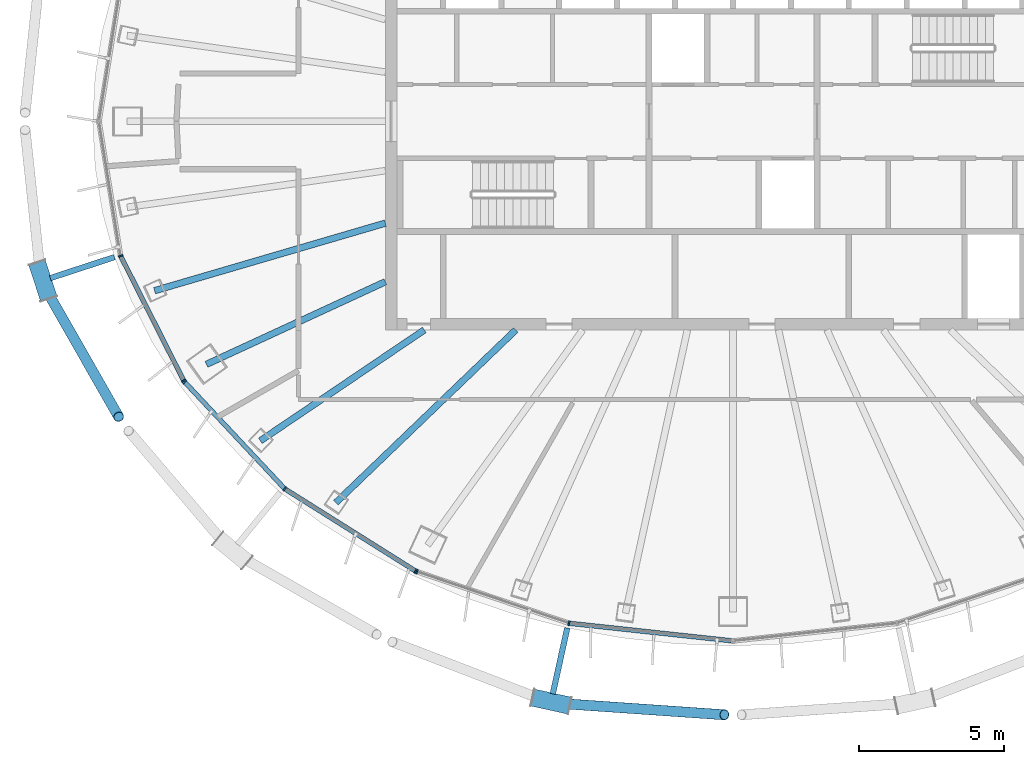
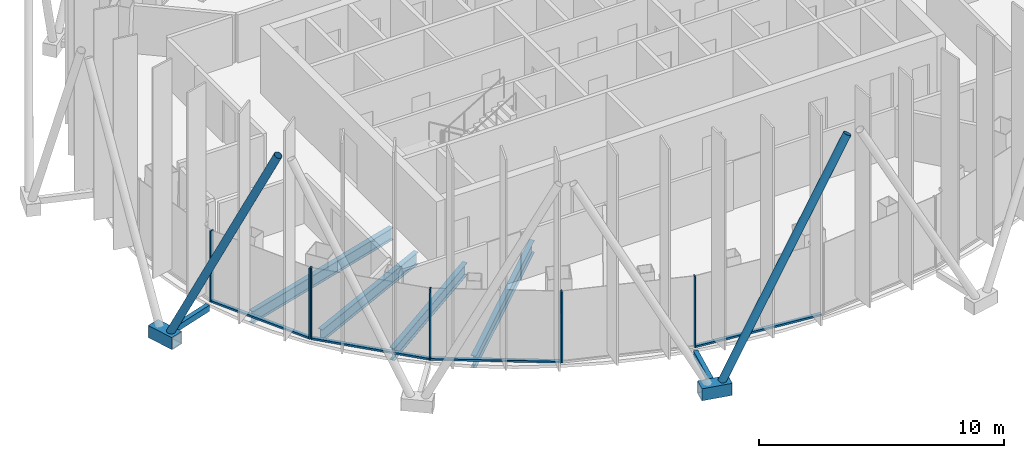
# One storey, part 2 of 19: 17 members, 4 beams, 3 elements without a shape of their own.
"""IFC4 building model written with IfcOpenShell, lengths in metres."""

from ifc_helpers import new_model, si_unit, direction, frame, origin, origin_2d, place, context, subcontext, project, spatial, rectangle, hollow_rectangle, hollow_circle, i_section, extrude, material, layer, layer_set, material_profile, profile_set, type_object, element, aggregate, save


model = new_model("IFC4")

# Units and contexts
model_context = context("Model", 3, precision=1e-05, world=origin(), true_north=direction((0.0, 1.0)))
body_context = subcontext(model_context, "Body", "Model", "MODEL_VIEW")
ifc_project = project(units=[si_unit("LENGTHUNIT", "METRE"), si_unit("AREAUNIT", "SQUARE_METRE"), si_unit("VOLUMEUNIT", "CUBIC_METRE"), si_unit("PLANEANGLEUNIT", "RADIAN"), si_unit("MASSUNIT", "GRAM", prefix="KILO")], contexts=[model_context])

# Site, building, storey
site_placement = place(None, origin())
site = spatial("IfcSite", under=ifc_project, at=site_placement, CompositionType="ELEMENT")
building_placement = place(site_placement, origin())
building = spatial("IfcBuilding", under=site, at=building_placement, Name="Siaravel Broadcast Tower", CompositionType="ELEMENT")
storey_placement = place(building_placement, frame((0.0, 0.0, 217.10009765625)))
storey = spatial("IfcBuildingStorey", under=building, at=storey_placement, Name="L52", CompositionType="ELEMENT", Elevation=217.10009765625)

# Beams
ifc_material_1 = material(Name="Steel S355", Category="steel")
ifc_material_profile_1 = material_profile(ifc_material_1, i_section(OverallWidth=0.2275390625, OverallDepth=0.6025390625, WebThickness=0.010498046875, FlangeThickness=0.014892578125, FilletRadius=0.0126953125, at=origin_2d()))
ifc_profile_set_1 = profile_set([ifc_material_profile_1], Name="Steel S355")
beam_type = type_object("IfcBeamType", Name="BM-UB 610x229x101", PredefinedType="BEAM", material=ifc_profile_set_1)
beam_1_placement = place(storey_placement, frame((-19.96875, -5.846435546875, -0.451416015625), z_axis=(0.959707048, 0.281002459, 0.0), x_axis=(-0.281002459, 0.959707048, 0.0)))
element("IfcBeam", 1, at=beam_1_placement, inside=storey, type_object=beam_type, Name="Radial beam RB21", PredefinedType="BEAM", context=body_context, shape_type="SweptSolid", body=[
    extrude(i_section(OverallWidth=0.2275390625, OverallDepth=0.6025390625, WebThickness=0.010498046875, FlangeThickness=0.014892578125, FilletRadius=0.0126953125, at=origin_2d()), origin(), (0.0, 0.0, 1.0), 8.30322265625),
])
beam_2_placement = place(storey_placement, frame((-18.177978515625, -8.38818359375, -0.451416015625), z_axis=(0.907989838, 0.418992189, 0.0), x_axis=(-0.418992189, 0.907989838, 0.0)))
element("IfcBeam", 2, at=beam_2_placement, inside=storey, type_object=beam_type, Name="Radial beam RB22", PredefinedType="BEAM", context=body_context, shape_type="SweptSolid", body=[
    extrude(i_section(OverallWidth=0.2275390625, OverallDepth=0.6025390625, WebThickness=0.010498046875, FlangeThickness=0.014892578125, FilletRadius=0.0126953125, at=origin_2d()), origin(), (0.0, 0.0, 1.0), 6.803955078125),
])
beam_3_placement = place(storey_placement, frame((-16.31591796875, -11.02587890625, -0.451416015625), z_axis=(0.828554475, 0.559908459, 0.0), x_axis=(-0.559908459, 0.828554475, 0.0)))
element("IfcBeam", 3, at=beam_3_placement, inside=storey, type_object=beam_type, Name="Radial beam RB23", PredefinedType="BEAM", context=body_context, shape_type="SweptSolid", body=[
    extrude(i_section(OverallWidth=0.2275390625, OverallDepth=0.6025390625, WebThickness=0.010498046875, FlangeThickness=0.014892578125, FilletRadius=0.0126953125, at=origin_2d()), origin(), (0.0, 0.0, 1.0), 6.833251953125),
])
beam_4_placement = place(storey_placement, frame((-13.706298828125, -13.162841796875, -0.451416015625), z_axis=(0.721255826, 0.692668776, 0.0), x_axis=(-0.692668776, 0.721255826, 0.0)))
element("IfcBeam", 4, at=beam_4_placement, inside=storey, type_object=beam_type, Name="Radial beam RB24", PredefinedType="BEAM", context=body_context, shape_type="SweptSolid", body=[
    extrude(i_section(OverallWidth=0.2275390625, OverallDepth=0.6025390625, WebThickness=0.010498046875, FlangeThickness=0.014892578125, FilletRadius=0.0126953125, at=origin_2d()), origin(), (0.0, 0.0, 1.0), 8.608642578125),
])

# Curtain wall, members
ifc_material_2 = material(Name="Aluminium 6063-T6", Category="aluminium")
ifc_layer = layer(ifc_material_2, 0.159912109375)
ifc_layer_set = layer_set([ifc_layer], Name="Aluminium 6063-T6")
curtain_wall_type = type_object("IfcCurtainWallType", Name="Unitised curtain wall, zone 4", PredefinedType="NOTDEFINED", material=ifc_layer_set)
curtain_wall_1_placement = place(storey_placement, origin())
curtain_wall_1 = element("IfcCurtainWall", 5, at=curtain_wall_1_placement, inside=storey, type_object=curtain_wall_type, Name="L52 Unitised curtain wall, zone 4 07", PredefinedType="NOTDEFINED")
ifc_material_profile_2 = material_profile(ifc_material_2, rectangle(XDim=0.159912109375, YDim=0.054931640625, at=origin_2d()))
ifc_profile_set_2 = profile_set([ifc_material_profile_2], Name="Aluminium 6063-T6")
member_type_1 = type_object("IfcMemberType", Name="CW-Z4 mullion", PredefinedType="MULLION", material=ifc_profile_set_2)
member_1_placement = place(storey_placement, frame((-21.1396484375, -4.64501953125, 0.0), z_axis=(0.0, 0.0, 1.0), x_axis=(0.951177504, 0.308644385, 0.0)))
member_1 = element("IfcMember", 6, at=member_1_placement, type_object=member_type_1, Name="CW-Z4 mullion 2", PredefinedType="MULLION", context=body_context, shape_type="SweptSolid", body=[
    extrude(rectangle(XDim=0.159912109375, YDim=0.054931640625, at=origin_2d()), origin(), (0.0, 0.0, 1.0), 3.5498046875),
])
member_2_placement = place(storey_placement, frame((-18.964111328125, -8.947509765625, 0.0), z_axis=(0.0, 0.0, 1.0), x_axis=(0.892392673, 0.451259701, 0.0)))
member_2 = element("IfcMember", 7, at=member_2_placement, type_object=member_type_1, Name="CW-Z4 mullion 3", PredefinedType="MULLION", context=body_context, shape_type="SweptSolid", body=[
    extrude(rectangle(XDim=0.159912109375, YDim=0.054931640625, at=origin_2d()), origin(), (0.0, 0.0, 1.0), 3.5498046875),
])

curtain_wall_2_placement = place(storey_placement, origin())
curtain_wall_2 = element("IfcCurtainWall", 8, at=curtain_wall_2_placement, inside=storey, type_object=curtain_wall_type, Name="L52 Unitised curtain wall, zone 4 08", PredefinedType="NOTDEFINED")
member_3_placement = place(storey_placement, frame((-18.932861328125, -8.991943359375, 0.0), z_axis=(0.0, 0.0, 1.0), x_axis=(0.729806178, 0.68365411, 0.0)))
member_3 = element("IfcMember", 9, at=member_3_placement, type_object=member_type_1, Name="CW-Z4 mullion 1", PredefinedType="MULLION", context=body_context, shape_type="SweptSolid", body=[
    extrude(rectangle(XDim=0.159912109375, YDim=0.054931640625, at=origin_2d()), origin(), (0.0, 0.0, 1.0), 3.5498046875),
])
member_4_placement = place(storey_placement, frame((-15.47216796875, -12.686279296875, 0.0), z_axis=(0.0, 0.0, 1.0), x_axis=(0.636219575, 0.771508038, 0.0)))
member_4 = element("IfcMember", 10, at=member_4_placement, type_object=member_type_1, Name="CW-Z4 mullion 2", PredefinedType="MULLION", context=body_context, shape_type="SweptSolid", body=[
    extrude(rectangle(XDim=0.159912109375, YDim=0.054931640625, at=origin_2d()), origin(), (0.0, 0.0, 1.0), 3.5498046875),
])
member_5_placement = place(storey_placement, frame((-10.962890625, -15.5205078125, 0.0), z_axis=(0.0, 0.0, 1.0), x_axis=(0.53215013, 0.84665001, 0.0)))
member_5 = element("IfcMember", 11, at=member_5_placement, type_object=member_type_1, Name="CW-Z4 mullion 3", PredefinedType="MULLION", context=body_context, shape_type="SweptSolid", body=[
    extrude(rectangle(XDim=0.159912109375, YDim=0.054931640625, at=origin_2d()), origin(), (0.0, 0.0, 1.0), 3.5498046875),
])

curtain_wall_3_placement = place(storey_placement, origin())
curtain_wall_3 = element("IfcCurtainWall", 12, at=curtain_wall_3_placement, inside=storey, type_object=curtain_wall_type, Name="L52 Unitised curtain wall, zone 4 09", PredefinedType="NOTDEFINED")
member_6_placement = place(storey_placement, frame((-10.913330078125, -15.5439453125, 0.0), z_axis=(0.0, 0.0, 1.0), x_axis=(0.321301242, 0.946977039, 0.0)))
member_6 = element("IfcMember", 13, at=member_6_placement, type_object=member_type_1, Name="CW-Z4 mullion 1", PredefinedType="MULLION", context=body_context, shape_type="SweptSolid", body=[
    extrude(rectangle(XDim=0.159912109375, YDim=0.054931640625, at=origin_2d()), origin(), (0.0, 0.0, 1.0), 3.5498046875),
])
member_7_placement = place(storey_placement, frame((-5.662353515625, -17.32568359375, 0.0), z_axis=(0.0, 0.0, 1.0), x_axis=(0.215558493, 0.97649093, 0.0)))
member_7 = element("IfcMember", 14, at=member_7_placement, type_object=member_type_1, Name="CW-Z4 mullion 2", PredefinedType="MULLION", context=body_context, shape_type="SweptSolid", body=[
    extrude(rectangle(XDim=0.159912109375, YDim=0.054931640625, at=origin_2d()), origin(), (0.0, 0.0, 1.0), 3.5498046875),
])

# Member
ifc_material_profile_3 = material_profile(ifc_material_2, rectangle(XDim=0.159912109375, YDim=0.090087890625, at=origin_2d()))
ifc_profile_set_3 = profile_set([ifc_material_profile_3], Name="Aluminium 6063-T6")
member_type_2 = type_object("IfcMemberType", Name="CW-Z4 transom", PredefinedType="USERDEFINED", material=ifc_profile_set_3)
member_8_placement = place(storey_placement, frame((-21.127197265625, -4.66943359375, 0.044921875), z_axis=(0.451265777, -0.8923896, 0.0), x_axis=(0.8923896, 0.451265777, 0.0)))
member_8 = element("IfcMember", 15, at=member_8_placement, type_object=member_type_2, Name="CW-Z4 transom 2", ObjectType="TRANSOM", PredefinedType="USERDEFINED", context=body_context, shape_type="SweptSolid", body=[
    extrude(rectangle(XDim=0.159912109375, YDim=0.090087890625, at=origin_2d()), origin(), (0.0, 0.0, 1.0), 4.766357421875),
])

aggregate(curtain_wall_1, [member_1, member_2, member_8])

member_9_placement = place(storey_placement, frame((-18.9140625, -9.01220703125, 0.044921875), z_axis=(0.683691298, -0.72977134, 0.0), x_axis=(0.72977134, 0.683691298, 0.0)))
member_9 = element("IfcMember", 16, at=member_9_placement, type_object=member_type_2, Name="CW-Z4 transom 1", ObjectType="TRANSOM", PredefinedType="USERDEFINED", context=body_context, shape_type="SweptSolid", body=[
    extrude(rectangle(XDim=0.159912109375, YDim=0.090087890625, at=origin_2d()), origin(), (0.0, 0.0, 1.0), 5.0068359375),
])

member_10_placement = place(storey_placement, frame((-15.448974609375, -12.70068359375, 0.044921875), z_axis=(0.846642511, -0.53216206, 0.0), x_axis=(0.53216206, 0.846642511, 0.0)))
member_10 = element("IfcMember", 17, at=member_10_placement, type_object=member_type_2, Name="CW-Z4 transom 2", ObjectType="TRANSOM", PredefinedType="USERDEFINED", context=body_context, shape_type="SweptSolid", body=[
    extrude(rectangle(XDim=0.159912109375, YDim=0.090087890625, at=origin_2d()), origin(), (0.0, 0.0, 1.0), 5.271240234375),
])

aggregate(curtain_wall_2, [member_3, member_4, member_5, member_9, member_10])

member_11_placement = place(storey_placement, frame((-5.635009765625, -17.32861328125, 0.044921875), z_axis=(0.994235028, -0.107222704, 0.0), x_axis=(0.107222704, 0.994235028, 0.0)))
member_11 = element("IfcMember", 18, at=member_11_placement, type_object=member_type_2, Name="CW-Z4 transom 2", ObjectType="TRANSOM", PredefinedType="USERDEFINED", context=body_context, shape_type="SweptSolid", body=[
    extrude(rectangle(XDim=0.159912109375, YDim=0.090087890625, at=origin_2d()), origin(), (0.0, 0.0, 1.0), 5.61279296875),
])

aggregate(curtain_wall_3, [member_6, member_7, member_11])

# Members
ifc_material_3 = material(Name="Steel S460", Category="steel")
ifc_material_profile_4 = material_profile(ifc_material_3, hollow_circle(Radius=0.177734375, WallThickness=0.012451171875, at=origin_2d()))
ifc_profile_set_4 = profile_set([ifc_material_profile_4], Name="Steel S460")
member_type_3 = type_object("IfcMemberType", Name="Diagrid diagonal CHS 355.6x12.5", PredefinedType="BRACE", material=ifc_profile_set_4)
member_12_placement = place(storey_placement, frame((-23.732177734375, -5.77587890625, 0.06982421875), z_axis=(0.214611161, -0.375849568, 0.901487189), x_axis=(0.868402365, 0.495860195, 0.0)))
element("IfcMember", 19, at=member_12_placement, inside=storey, type_object=member_type_3, Name="Diagrid diagonal R22 station 39A", PredefinedType="BRACE", context=body_context, shape_type="SweptSolid", body=[
    extrude(hollow_circle(Radius=0.177734375, WallThickness=0.012451171875, at=origin_2d()), origin(), (0.0, 0.0, 1.0), 11.76953125),
])
member_13_placement = place(storey_placement, frame((-5.990234375, -20.093505859375, 0.06982421875), z_axis=(0.472653432, -0.032604475, 0.880645037), x_axis=(0.068818238, 0.997629215, 0.0)))
element("IfcMember", 20, at=member_13_placement, inside=storey, type_object=member_type_3, Name="Diagrid diagonal R22 station 51A", PredefinedType="BRACE", context=body_context, shape_type="SweptSolid", body=[
    extrude(hollow_circle(Radius=0.177734375, WallThickness=0.012451171875, at=origin_2d()), origin(), (0.0, 0.0, 1.0), 12.048095703125),
])
ifc_material_profile_5 = material_profile(ifc_material_3, hollow_rectangle(XDim=0.60009765625, YDim=0.60009765625, WallThickness=0.031982421875, at=origin_2d()))
ifc_profile_set_5 = profile_set([ifc_material_profile_5], Name="Steel S460")
member_type_4 = type_object("IfcMemberType", Name="Diagrid node BOX 600x600x32", PredefinedType="USERDEFINED", material=ifc_profile_set_5)
for number, where, z_axis, x_axis, name in (
    (21, (-24.025146484375, -4.880126953125, -0.2001953125), (0.310843783, -0.950461016, 0.0), (0.950461016, 0.310843783, 0.0), "Diagrid node R22 station 39"),
    (22, (-6.91064453125, -19.891357421875, -0.2001953125), (0.976743379, -0.214411687, 0.0), (0.214411687, 0.976743379, 0.0), "Diagrid node R22 station 51"),
):
    element("IfcMember", number, at=place(storey_placement, frame(where, z_axis=z_axis, x_axis=x_axis)), inside=storey, type_object=member_type_4, Name=name, ObjectType="DIAGRID NODE", PredefinedType="USERDEFINED", context=body_context, shape_type="SweptSolid", body=[
        extrude(hollow_rectangle(XDim=0.60009765625, YDim=0.60009765625, WallThickness=0.031982421875, at=origin_2d()), origin(), (0.0, 0.0, 1.0), 1.29345703125),
    ])
ifc_material_profile_6 = material_profile(ifc_material_3, hollow_rectangle(XDim=0.199951171875, YDim=0.300048828125, WallThickness=0.012451171875, at=origin_2d()))
ifc_profile_set_6 = profile_set([ifc_material_profile_6], Name="Steel S460")
member_type_5 = type_object("IfcMemberType", Name="Diagrid node arm RHS 300x200x12.5", PredefinedType="STRUT", material=ifc_profile_set_6)
for number, where, z_axis, x_axis, name in (
    (23, (-21.352783203125, -4.6865234375, -0.2001953125), (-0.950449489, -0.310879025, 0.0), (0.310879025, -0.950449489, 0.0), "Node arm R22 station 39"),
    (24, (-5.721435546875, -17.490478515625, -0.2001953125), (-0.214378037, -0.976750765, 0.0), (0.976750765, -0.214378037, 0.0), "Node arm R22 station 51"),
):
    element("IfcMember", number, at=place(storey_placement, frame(where, z_axis=z_axis, x_axis=x_axis)), inside=storey, type_object=member_type_5, Name=name, PredefinedType="STRUT", context=body_context, shape_type="SweptSolid", body=[
        extrude(hollow_rectangle(XDim=0.199951171875, YDim=0.300048828125, WallThickness=0.012451171875, at=origin_2d()), origin(), (0.0, 0.0, 1.0), 2.330078125),
    ])

save(model, "model.ifc")
